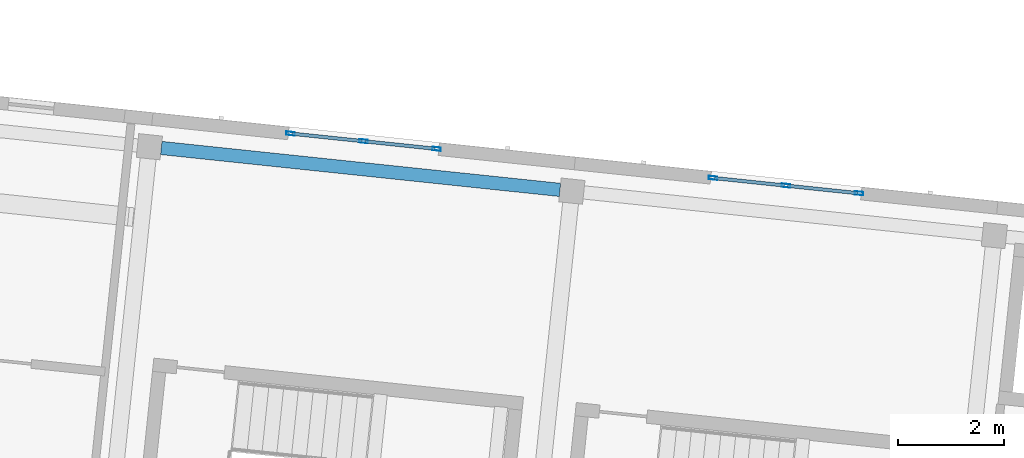
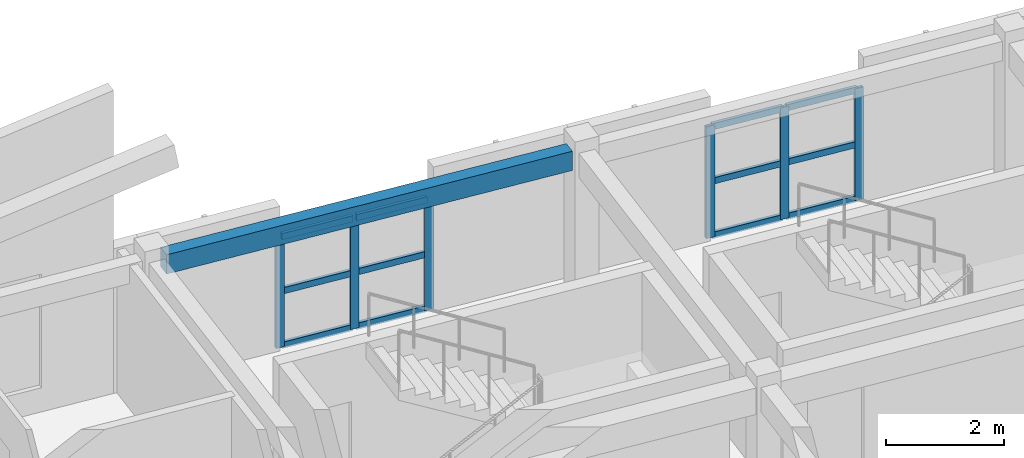
# One storey, part 7 of 34: 18 members, 1 beam, 2 elements without a shape of their own.
"""IFC4 building model written with IfcOpenShell, lengths in metres."""

from ifc_helpers import new_model, si_unit, direction, frame, origin, origin_2d, place, context, subcontext, project, spatial, rectangle, hollow_rectangle, extrude, material, material_profile, profile_set, type_object, element, aggregate, save


model = new_model("IFC4")

# Units and contexts
model_context = context("Model", 3, precision=1e-05, world=origin(), true_north=direction((0.0, 1.0)))
body_context = subcontext(model_context, "Body", "Model", "MODEL_VIEW")
ifc_project = project(units=[si_unit("LENGTHUNIT", "METRE"), si_unit("AREAUNIT", "SQUARE_METRE"), si_unit("VOLUMEUNIT", "CUBIC_METRE"), si_unit("PLANEANGLEUNIT", "RADIAN"), si_unit("MASSUNIT", "GRAM", prefix="KILO")], contexts=[model_context])

# Site, building, storey
site_placement = place(None, origin())
site = spatial("IfcSite", under=ifc_project, at=site_placement, CompositionType="ELEMENT")
building_placement = place(site_placement, origin())
building = spatial("IfcBuilding", under=site, at=building_placement, Name="Kestramere Prow Commons", CompositionType="ELEMENT")
storey_placement = place(building_placement, frame((0.0, 0.0, 34.39990234375)))
storey = spatial("IfcBuildingStorey", under=building, at=storey_placement, Name="L10", CompositionType="ELEMENT", Elevation=34.39990234375)

# Curtain wall, members
ifc_material_1 = material(Name="Anodised Aluminium and Low-E Glass", Category="aluminium")
curtain_wall_type = type_object("IfcCurtainWallType", Name="CW-03 Glazed Curtain Wall 2830x2320", PredefinedType="USERDEFINED", material=ifc_material_1)
curtain_wall_1_placement = place(storey_placement, origin())
curtain_wall_1 = element("IfcCurtainWall", 1, at=curtain_wall_1_placement, inside=storey, type_object=curtain_wall_type, Name="Block B L10 Stairwell Vertical Glazing 4", ObjectType="GLAZED CURTAIN WALL", PredefinedType="USERDEFINED")
ifc_material_2 = material(Name="Anodised Aluminium 6063-T6", Category="aluminium")
ifc_material_profile_1 = material_profile(ifc_material_2, hollow_rectangle(XDim=0.06494140625, YDim=0.159912109375, WallThickness=0.00390625, at=origin_2d()), Name="ALU-MUL 65x160")
ifc_profile_set_1 = profile_set([ifc_material_profile_1], Name="Anodised Aluminium 6063-T6")
member_type_1 = type_object("IfcMemberType", Name="CW-MUL-65x160", PredefinedType="MULLION", material=ifc_profile_set_1)
member_1_placement = place(storey_placement, frame((138.575439453125, 112.032470703125, 0.0), z_axis=(0.0, 0.0, 1.0), x_axis=(0.104528618845, 0.994521879016, 0.0)))
member_1 = element("IfcMember", 2, at=member_1_placement, type_object=member_type_1, Name="CW-03 mullion 1", PredefinedType="MULLION", context=body_context, shape_type="SweptSolid", body=[
    extrude(hollow_rectangle(XDim=0.06494140625, YDim=0.159912109375, WallThickness=0.00390625, at=origin_2d()), origin(), (0.0, 0.0, 1.0), 2.320068359375),
])
member_2_placement = place(storey_placement, frame((139.9501953125, 111.887939453125, 0.0), z_axis=(0.0, 0.0, 1.0), x_axis=(0.104528618845, 0.994521879016, 0.0)))
member_2 = element("IfcMember", 3, at=member_2_placement, type_object=member_type_1, Name="CW-03 mullion 2", PredefinedType="MULLION", context=body_context, shape_type="SweptSolid", body=[
    extrude(hollow_rectangle(XDim=0.06494140625, YDim=0.159912109375, WallThickness=0.00390625, at=origin_2d()), origin(), (0.0, 0.0, 1.0), 2.320068359375),
])
member_3_placement = place(storey_placement, frame((141.3251953125, 111.743408203125, 0.0), z_axis=(0.0, 0.0, 1.0), x_axis=(0.104528618845, 0.994521879016, 0.0)))
member_3 = element("IfcMember", 4, at=member_3_placement, type_object=member_type_1, Name="CW-03 mullion 3", PredefinedType="MULLION", context=body_context, shape_type="SweptSolid", body=[
    extrude(hollow_rectangle(XDim=0.06494140625, YDim=0.159912109375, WallThickness=0.00390625, at=origin_2d()), origin(), (0.0, 0.0, 1.0), 2.320068359375),
])

curtain_wall_2_placement = place(storey_placement, origin())
curtain_wall_2 = element("IfcCurtainWall", 5, at=curtain_wall_2_placement, inside=storey, type_object=curtain_wall_type, Name="Block B L10 Stairwell Vertical Glazing 5", ObjectType="GLAZED CURTAIN WALL", PredefinedType="USERDEFINED")
member_4_placement = place(storey_placement, frame((146.531494140625, 111.1962890625, 0.0), z_axis=(0.0, 0.0, 1.0), x_axis=(0.104528269348, 0.99452191575, 0.0)))
member_4 = element("IfcMember", 6, at=member_4_placement, type_object=member_type_1, Name="CW-03 mullion 1", PredefinedType="MULLION", context=body_context, shape_type="SweptSolid", body=[
    extrude(hollow_rectangle(XDim=0.06494140625, YDim=0.159912109375, WallThickness=0.00390625, at=origin_2d()), origin(), (0.0, 0.0, 1.0), 2.320068359375),
])
member_5_placement = place(storey_placement, frame((147.906494140625, 111.0517578125, 0.0), z_axis=(0.0, 0.0, 1.0), x_axis=(0.104528269348, 0.99452191575, 0.0)))
member_5 = element("IfcMember", 7, at=member_5_placement, type_object=member_type_1, Name="CW-03 mullion 2", PredefinedType="MULLION", context=body_context, shape_type="SweptSolid", body=[
    extrude(hollow_rectangle(XDim=0.06494140625, YDim=0.159912109375, WallThickness=0.00390625, at=origin_2d()), origin(), (0.0, 0.0, 1.0), 2.320068359375),
])
member_6_placement = place(storey_placement, frame((149.28125, 110.9072265625, 0.0), z_axis=(0.0, 0.0, 1.0), x_axis=(0.104528269348, 0.99452191575, 0.0)))
member_6 = element("IfcMember", 8, at=member_6_placement, type_object=member_type_1, Name="CW-03 mullion 3", PredefinedType="MULLION", context=body_context, shape_type="SweptSolid", body=[
    extrude(hollow_rectangle(XDim=0.06494140625, YDim=0.159912109375, WallThickness=0.00390625, at=origin_2d()), origin(), (0.0, 0.0, 1.0), 2.320068359375),
])

# Member
ifc_material_profile_2 = material_profile(ifc_material_2, hollow_rectangle(XDim=0.06494140625, YDim=0.1298828125, WallThickness=0.00390625, at=origin_2d()), Name="ALU-TRN 65x130")
ifc_profile_set_2 = profile_set([ifc_material_profile_2], Name="Anodised Aluminium 6063-T6")
member_type_2 = type_object("IfcMemberType", Name="CW-TRN-65x130", PredefinedType="USERDEFINED", material=ifc_profile_set_2)
member_7_placement = place(storey_placement, frame((138.607666015625, 112.029052734375, 0.03271484375), z_axis=(0.994523714271, -0.104511156111, 0.0), x_axis=(0.104511156111, 0.994523714271, 0.0)))
member_7 = element("IfcMember", 9, at=member_7_placement, type_object=member_type_2, Name="CW-03 transom 1.1", ObjectType="TRANSOM", PredefinedType="USERDEFINED", context=body_context, shape_type="SweptSolid", body=[
    extrude(hollow_rectangle(XDim=0.06494140625, YDim=0.1298828125, WallThickness=0.00390625, at=origin_2d()), origin(), (0.0, 0.0, 1.0), 1.317626953125),
])

member_8_placement = place(storey_placement, frame((138.607666015625, 112.029052734375, 1.16015625), z_axis=(0.994523714271, -0.104511156111, 0.0), x_axis=(0.104511156111, 0.994523714271, 0.0)))
member_8 = element("IfcMember", 10, at=member_8_placement, type_object=member_type_2, Name="CW-03 transom 1.2", ObjectType="TRANSOM", PredefinedType="USERDEFINED", context=body_context, shape_type="SweptSolid", body=[
    extrude(hollow_rectangle(XDim=0.06494140625, YDim=0.1298828125, WallThickness=0.00390625, at=origin_2d()), origin(), (0.0, 0.0, 1.0), 1.317626953125),
])

member_9_placement = place(storey_placement, frame((138.607666015625, 112.029052734375, 2.28759765625), z_axis=(0.994523714271, -0.104511156111, 0.0), x_axis=(0.104511156111, 0.994523714271, 0.0)))
member_9 = element("IfcMember", 11, at=member_9_placement, type_object=member_type_2, Name="CW-03 transom 1.3", ObjectType="TRANSOM", PredefinedType="USERDEFINED", context=body_context, shape_type="SweptSolid", body=[
    extrude(hollow_rectangle(XDim=0.06494140625, YDim=0.1298828125, WallThickness=0.00390625, at=origin_2d()), origin(), (0.0, 0.0, 1.0), 1.317626953125),
])

member_10_placement = place(storey_placement, frame((139.982666015625, 111.884521484375, 0.03271484375), z_axis=(0.994523714271, -0.104511156111, 0.0), x_axis=(0.104511156111, 0.994523714271, 0.0)))
member_10 = element("IfcMember", 12, at=member_10_placement, type_object=member_type_2, Name="CW-03 transom 2.1", ObjectType="TRANSOM", PredefinedType="USERDEFINED", context=body_context, shape_type="SweptSolid", body=[
    extrude(hollow_rectangle(XDim=0.06494140625, YDim=0.1298828125, WallThickness=0.00390625, at=origin_2d()), origin(), (0.0, 0.0, 1.0), 1.317626953125),
])

member_11_placement = place(storey_placement, frame((139.982666015625, 111.884521484375, 1.16015625), z_axis=(0.994523714271, -0.104511156111, 0.0), x_axis=(0.104511156111, 0.994523714271, 0.0)))
member_11 = element("IfcMember", 13, at=member_11_placement, type_object=member_type_2, Name="CW-03 transom 2.2", ObjectType="TRANSOM", PredefinedType="USERDEFINED", context=body_context, shape_type="SweptSolid", body=[
    extrude(hollow_rectangle(XDim=0.06494140625, YDim=0.1298828125, WallThickness=0.00390625, at=origin_2d()), origin(), (0.0, 0.0, 1.0), 1.317626953125),
])

member_12_placement = place(storey_placement, frame((139.982666015625, 111.884521484375, 2.28759765625), z_axis=(0.994523714271, -0.104511156111, 0.0), x_axis=(0.104511156111, 0.994523714271, 0.0)))
member_12 = element("IfcMember", 14, at=member_12_placement, type_object=member_type_2, Name="CW-03 transom 2.3", ObjectType="TRANSOM", PredefinedType="USERDEFINED", context=body_context, shape_type="SweptSolid", body=[
    extrude(hollow_rectangle(XDim=0.06494140625, YDim=0.1298828125, WallThickness=0.00390625, at=origin_2d()), origin(), (0.0, 0.0, 1.0), 1.317626953125),
])

aggregate(curtain_wall_1, [member_1, member_2, member_3, member_7, member_8, member_9, member_10, member_11, member_12])

member_13_placement = place(storey_placement, frame((146.563720703125, 111.19287109375, 0.03271484375), z_axis=(0.994523714271, -0.104511156111, 0.0), x_axis=(0.104511156111, 0.994523714271, 0.0)))
member_13 = element("IfcMember", 15, at=member_13_placement, type_object=member_type_2, Name="CW-03 transom 1.1", ObjectType="TRANSOM", PredefinedType="USERDEFINED", context=body_context, shape_type="SweptSolid", body=[
    extrude(hollow_rectangle(XDim=0.06494140625, YDim=0.1298828125, WallThickness=0.00390625, at=origin_2d()), origin(), (0.0, 0.0, 1.0), 1.317626953125),
])

member_14_placement = place(storey_placement, frame((146.563720703125, 111.19287109375, 1.16015625), z_axis=(0.994523714271, -0.104511156111, 0.0), x_axis=(0.104511156111, 0.994523714271, 0.0)))
member_14 = element("IfcMember", 16, at=member_14_placement, type_object=member_type_2, Name="CW-03 transom 1.2", ObjectType="TRANSOM", PredefinedType="USERDEFINED", context=body_context, shape_type="SweptSolid", body=[
    extrude(hollow_rectangle(XDim=0.06494140625, YDim=0.1298828125, WallThickness=0.00390625, at=origin_2d()), origin(), (0.0, 0.0, 1.0), 1.317626953125),
])

member_15_placement = place(storey_placement, frame((146.563720703125, 111.19287109375, 2.28759765625), z_axis=(0.994523714271, -0.104511156111, 0.0), x_axis=(0.104511156111, 0.994523714271, 0.0)))
member_15 = element("IfcMember", 17, at=member_15_placement, type_object=member_type_2, Name="CW-03 transom 1.3", ObjectType="TRANSOM", PredefinedType="USERDEFINED", context=body_context, shape_type="SweptSolid", body=[
    extrude(hollow_rectangle(XDim=0.06494140625, YDim=0.1298828125, WallThickness=0.00390625, at=origin_2d()), origin(), (0.0, 0.0, 1.0), 1.317626953125),
])

member_16_placement = place(storey_placement, frame((147.938720703125, 111.04833984375, 0.03271484375), z_axis=(0.994523714271, -0.104511156111, 0.0), x_axis=(0.104511156111, 0.994523714271, 0.0)))
member_16 = element("IfcMember", 18, at=member_16_placement, type_object=member_type_2, Name="CW-03 transom 2.1", ObjectType="TRANSOM", PredefinedType="USERDEFINED", context=body_context, shape_type="SweptSolid", body=[
    extrude(hollow_rectangle(XDim=0.06494140625, YDim=0.1298828125, WallThickness=0.00390625, at=origin_2d()), origin(), (0.0, 0.0, 1.0), 1.317626953125),
])

member_17_placement = place(storey_placement, frame((147.938720703125, 111.04833984375, 1.16015625), z_axis=(0.994523714271, -0.104511156111, 0.0), x_axis=(0.104511156111, 0.994523714271, 0.0)))
member_17 = element("IfcMember", 19, at=member_17_placement, type_object=member_type_2, Name="CW-03 transom 2.2", ObjectType="TRANSOM", PredefinedType="USERDEFINED", context=body_context, shape_type="SweptSolid", body=[
    extrude(hollow_rectangle(XDim=0.06494140625, YDim=0.1298828125, WallThickness=0.00390625, at=origin_2d()), origin(), (0.0, 0.0, 1.0), 1.317626953125),
])

member_18_placement = place(storey_placement, frame((147.938720703125, 111.04833984375, 2.28759765625), z_axis=(0.994523714271, -0.104511156111, 0.0), x_axis=(0.104511156111, 0.994523714271, 0.0)))
member_18 = element("IfcMember", 20, at=member_18_placement, type_object=member_type_2, Name="CW-03 transom 2.3", ObjectType="TRANSOM", PredefinedType="USERDEFINED", context=body_context, shape_type="SweptSolid", body=[
    extrude(hollow_rectangle(XDim=0.06494140625, YDim=0.1298828125, WallThickness=0.00390625, at=origin_2d()), origin(), (0.0, 0.0, 1.0), 1.317626953125),
])

aggregate(curtain_wall_2, [member_4, member_5, member_6, member_13, member_14, member_15, member_16, member_17, member_18])

# Beam
ifc_material_3 = material(Name="Precast concrete C40/50", Category="concrete")
ifc_material_profile_3 = material_profile(ifc_material_3, rectangle(XDim=0.25, YDim=0.39990234375, at=origin_2d()), Name="PC-SP 250x400")
ifc_profile_set_3 = profile_set([ifc_material_profile_3], Name="Precast concrete C40/50")
beam_type = type_object("IfcBeamType", Name="SP-EXT-01 PC-SP 250x400", PredefinedType="SPANDREL", material=ifc_profile_set_3)
beam_placement = place(storey_placement, frame((136.14111328125, 111.760498046875, 2.800048828125), z_axis=(0.994520149735, -0.104545070528, 0.0), x_axis=(0.104545070528, 0.994520149735, 0.0)))
element("IfcBeam", 21, at=beam_placement, inside=storey, type_object=beam_type, Name="Block B L10 Longitudinal Beam 4-4", PredefinedType="SPANDREL", context=body_context, shape_type="SweptSolid", body=[
    extrude(rectangle(XDim=0.25, YDim=0.39990234375, at=origin_2d()), origin(), (0.0, 0.0, 1.0), 7.5498046875),
])

save(model, "model.ifc")
